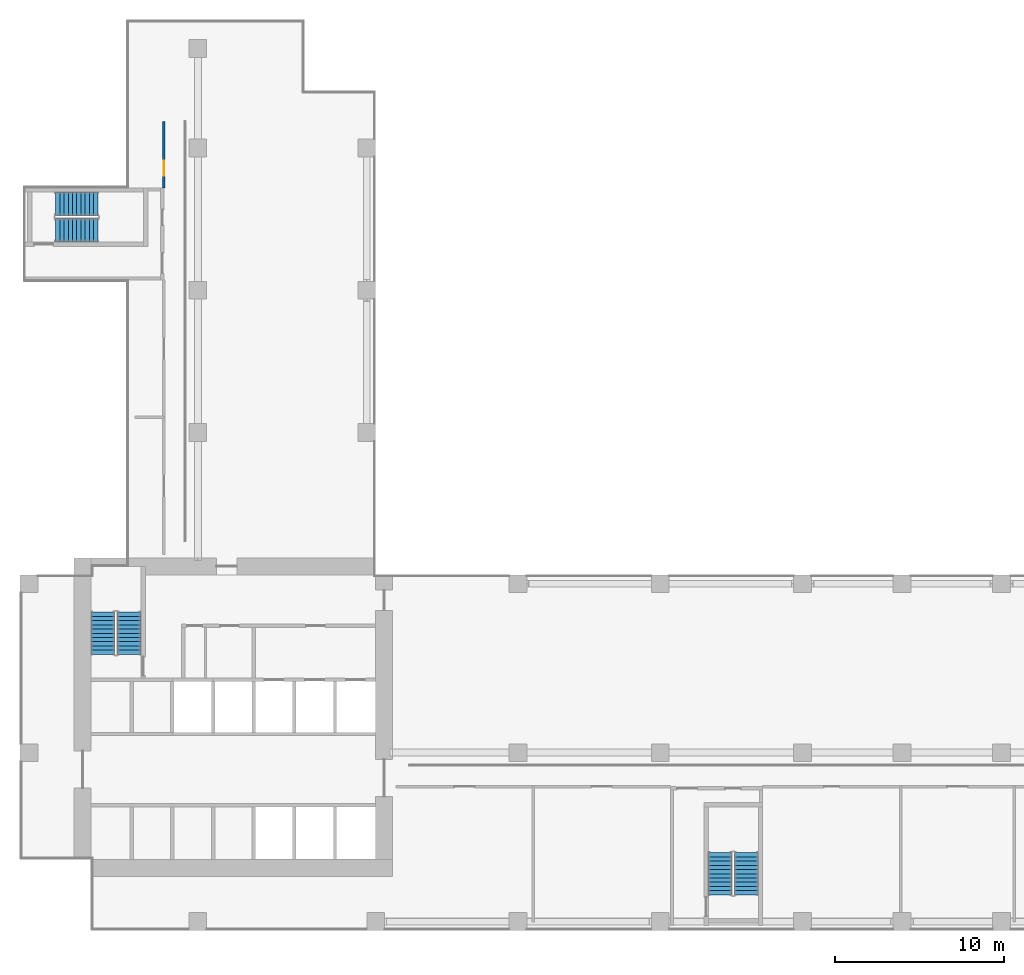
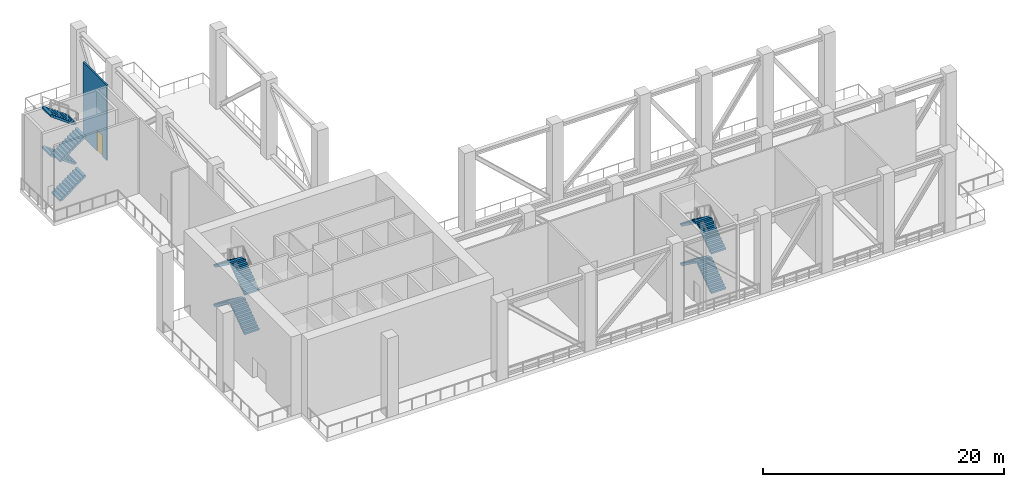
# One storey, part 4 of 10: 12 stair flights, 1 door, 1 wall, 1 opening, 3 elements without a shape of their own.
"""IFC4 building model written with IfcOpenShell, lengths in metres."""

import ifcopenshell
import ifcopenshell.guid

model = None  # the IFC model being written
_history = None  # IfcOwnerHistory: only IFC2X3 demands one
_inside = {}  # id of a spatial element -> (the spatial element, [elements in it])
_under = {}  # id of a project, library or spatial element -> (it, [spatial elements below it])
_declared = {}  # id of a project -> (the project, [libraries it declares])
_typed = {}  # id of a type object -> (the type object, [elements of that type])
_made_of = {}  # id of a material, layer set ... -> (it, [elements and type objects made of it])


def new_model(schema):
    """Start an empty IFC model of exactly this schema.

    Asked for "IFC4X3", IfcOpenShell would pick the latest addendum, in which some entities
    have other attributes; the version numbers below select the first issue.
    IFC2X3 requires an IfcOwnerHistory on every rooted entity: one is made here for all.
    """
    global model, _history
    if schema == "IFC4X3":
        model = ifcopenshell.file(schema_version=(4, 3, 0, 0))
    else:
        model = ifcopenshell.file(schema=schema)
    _inside.clear()
    _under.clear()
    _declared.clear()
    _typed.clear()
    _made_of.clear()
    _history = None
    if model.schema == "IFC2X3":
        org = make("IfcOrganization", Name="unknown")
        user = make(
            "IfcPersonAndOrganization",
            ThePerson=make("IfcPerson", FamilyName="unknown"),
            TheOrganization=org,
        )
        app = make(
            "IfcApplication",
            ApplicationDeveloper=org,
            Version="unknown",
            ApplicationFullName="unknown",
            ApplicationIdentifier="unknown",
        )
        _history = make(
            "IfcOwnerHistory",
            OwningUser=user,
            OwningApplication=app,
            ChangeAction="ADDED",
            CreationDate=0,
        )
    return model


def make(cls, **values):
    """One entity of the class cls with the attributes given. An attribute that is None is left unset."""
    return model.create_entity(
        cls, **{name: value for name, value in values.items() if value is not None}
    )


def rooted(cls, **values):
    """An entity with a GlobalId (a new one), such as an element, a storey or a relation."""
    return make(cls, GlobalId=ifcopenshell.guid.new(), OwnerHistory=_history, **values)


def si_unit(unit_type, name, prefix=None):
    """IfcSIUnit, for example si_unit("LENGTHUNIT", "METRE", prefix="MILLI")."""
    return make("IfcSIUnit", UnitType=unit_type, Prefix=prefix, Name=name)


def assignment(units):
    """IfcUnitAssignment: the units of a project."""
    return None if units is None else make("IfcUnitAssignment", Units=units)


def point(xyz):
    """IfcCartesianPoint."""
    return None if xyz is None else make("IfcCartesianPoint", Coordinates=xyz)


def direction(xyz):
    """IfcDirection."""
    return None if xyz is None else make("IfcDirection", DirectionRatios=xyz)


def frame(location, z_axis=None, x_axis=None):
    """IfcAxis2Placement3D, a coordinate frame: its origin and axes. An axis left out is left unset."""
    return make(
        "IfcAxis2Placement3D",
        Location=point(location),
        Axis=direction(z_axis),
        RefDirection=direction(x_axis),
    )


def frame_2d(location, x_axis=None):
    """IfcAxis2Placement2D, a coordinate frame in the plane: its origin and x axis."""
    return make(
        "IfcAxis2Placement2D", Location=point(location), RefDirection=direction(x_axis)
    )


def origin():
    """The frame at (0, 0, 0) with its axes left unset."""
    return frame((0.0, 0.0, 0.0))


def place(relative_to, where):
    """IfcLocalPlacement: puts the frame where relative to a parent placement (None: the world)."""
    return make(
        "IfcLocalPlacement", PlacementRelTo=relative_to, RelativePlacement=where
    )


def context(
    kind, dimensions, precision=None, world=None, true_north=None, identifier=None
):
    """IfcGeometricRepresentationContext, for example the 3D "Model" context."""
    return make(
        "IfcGeometricRepresentationContext",
        ContextIdentifier=identifier,
        ContextType=kind,
        CoordinateSpaceDimension=dimensions,
        Precision=precision,
        WorldCoordinateSystem=world,
        TrueNorth=true_north,
    )


def subcontext(parent, identifier, kind, view, scale=None):
    """IfcGeometricRepresentationSubContext, for example "Body" below "Model"."""
    return make(
        "IfcGeometricRepresentationSubContext",
        ContextIdentifier=identifier,
        ContextType=kind,
        ParentContext=parent,
        TargetScale=scale,
        TargetView=view,
    )


def project(units=None, contexts=None):
    """IfcProject with its units and contexts."""
    return rooted(
        "IfcProject",
        Name="project",
        RepresentationContexts=contexts,
        UnitsInContext=assignment(units),
    )


def spatial(cls, under=None, at=None, **own):
    """A site, building, storey or space (cls), placed at a placement, below another one or the project."""
    s = rooted(cls, ObjectPlacement=at, **own)
    if under is not None:
        _under.setdefault(under.id(), (under, []))[1].append(s)
    return s


def polyline(points):
    """IfcPolyline through the points."""
    return make("IfcPolyline", Points=[point(p) for p in points])


def profile(cls, at=None, kind="AREA", **sizes):
    """A parametric profile (cls). Its sizes go by their IFC names, for example OverallWidth=200.0."""
    return make(cls, ProfileType=kind, Position=at, **sizes)


def rectangle(**sizes):
    """IfcRectangleProfileDef."""
    return profile("IfcRectangleProfileDef", **sizes)


def outline(outer, holes=None, kind="AREA"):
    """IfcArbitraryClosedProfileDef: a profile drawn as a closed curve; with holes, ...WithVoids."""
    if holes is None:
        return make("IfcArbitraryClosedProfileDef", ProfileType=kind, OuterCurve=outer)
    return make(
        "IfcArbitraryProfileDefWithVoids",
        ProfileType=kind,
        OuterCurve=outer,
        InnerCurves=holes,
    )


def extrude(swept, where, along, depth):
    """IfcExtrudedAreaSolid: the profile swept, set in the frame where, extruded along a direction by depth."""
    return make(
        "IfcExtrudedAreaSolid",
        SweptArea=swept,
        Position=where,
        ExtrudedDirection=direction(along),
        Depth=depth,
    )


def shape(context_of_items, identifier, shape_type, items):
    """IfcShapeRepresentation: the items that make up one representation, for example the "Body"."""
    return make(
        "IfcShapeRepresentation",
        ContextOfItems=context_of_items,
        RepresentationIdentifier=identifier,
        RepresentationType=shape_type,
        Items=items,
    )


def source(mapping_origin, context_of_items, identifier, shape_type, items):
    """IfcRepresentationMap: a shape defined once, which mapped items show again and again."""
    return make(
        "IfcRepresentationMap",
        MappingOrigin=mapping_origin,
        MappedRepresentation=shape(context_of_items, identifier, shape_type, items),
    )


def transform(
    local_origin,
    x_axis=None,
    y_axis=None,
    z_axis=None,
    scale=None,
    scale2=None,
    scale3=None,
    uniform=True,
):
    """IfcCartesianTransformationOperator3D, or its non-uniform kind. x_axis, y_axis, z_axis: its Axis1, 2, 3."""
    if uniform:
        return make(
            "IfcCartesianTransformationOperator3D",
            Axis1=direction(x_axis),
            Axis2=direction(y_axis),
            LocalOrigin=point(local_origin),
            Scale=scale,
            Axis3=direction(z_axis),
        )
    return make(
        "IfcCartesianTransformationOperator3DnonUniform",
        Axis1=direction(x_axis),
        Axis2=direction(y_axis),
        LocalOrigin=point(local_origin),
        Scale=scale,
        Axis3=direction(z_axis),
        Scale2=scale2,
        Scale3=scale3,
    )


def mapped(mapping_source, mapping_target):
    """IfcMappedItem: shows the shape of a source again, moved by a transform."""
    return make(
        "IfcMappedItem", MappingSource=mapping_source, MappingTarget=mapping_target
    )


def material(Name=None, Category=None):
    """IfcMaterial."""
    return make("IfcMaterial", Name=Name, Category=Category)


def layer(
    of_material, thickness, ventilated=None, Name=None, Category=None, Priority=None
):
    """IfcMaterialLayer: one layer of a wall or slab, of a material (None: an air gap)."""
    return make(
        "IfcMaterialLayer",
        Material=of_material,
        LayerThickness=thickness,
        IsVentilated=ventilated,
        Name=Name,
        Category=Category,
        Priority=Priority,
    )


def layer_set(layers, Name=None):
    """IfcMaterialLayerSet."""
    return make("IfcMaterialLayerSet", MaterialLayers=layers, LayerSetName=Name)


def made_of(thing, what):
    """Note that an element or type object is made of a material, layer set ...; save() writes the relation."""
    if what is not None:
        _made_of.setdefault(what.id(), (what, []))[1].append(thing)
    return thing


def type_object(cls, material=None, **own):
    """A type object (cls), such as IfcWallType, which elements share."""
    return made_of(rooted(cls, **own), material)


def element(
    cls,
    number,
    at=None,
    inside=None,
    cuts=None,
    type_object=None,
    material=None,
    context=None,
    identifier="Body",
    shape_type=None,
    held_by="IfcProductDefinitionShape",
    body=None,
    shapes=None,
    **own,
):
    """One element of the class cls, such as IfcWall. Its Tag is "e" and its number.

    at: its placement. inside: the storey or other place that contains it. cuts: it is an
    opening in that element (IfcRelVoidsElement). A single representation is given by context,
    identifier, shape_type and body (its items); several are given by shapes. held_by: the class
    of the entity that holds the representations. save() writes the other relations.
    """
    e = rooted(cls, Tag="e%d" % number, ObjectPlacement=at, **own)
    if body is not None:
        shapes = [shape(context, identifier, shape_type, body)]
    if shapes is not None:
        e.Representation = make(held_by, Representations=shapes)
    if inside is not None:
        _inside.setdefault(inside.id(), (inside, []))[1].append(e)
    if cuts is not None:
        rooted(
            "IfcRelVoidsElement", RelatingBuildingElement=cuts, RelatedOpeningElement=e
        )
    if type_object is not None:
        _typed.setdefault(type_object.id(), (type_object, []))[1].append(e)
    return made_of(e, material)


def fill(opening, filler):
    """IfcRelFillsElement: the door or window that sits in an opening."""
    return rooted(
        "IfcRelFillsElement",
        RelatingOpeningElement=opening,
        RelatedBuildingElement=filler,
    )


def aggregate(whole, parts):
    """IfcRelAggregates: a whole, such as a stair, and the parts it consists of."""
    return rooted("IfcRelAggregates", RelatingObject=whole, RelatedObjects=parts)


def save(model, path):
    """Write the relations noted so far, then the file.

    IfcRelAggregates (storeys below a building ...), IfcRelContainedInSpatialStructure (elements
    in a storey), IfcRelDefinesByType, IfcRelAssociatesMaterial and IfcRelDeclares: one each for
    every whole, place, type object, material and project.
    """
    for whole, parts in _under.values():
        aggregate(whole, parts)
    for where, things in _inside.values():
        rooted(
            "IfcRelContainedInSpatialStructure",
            RelatedElements=things,
            RelatingStructure=where,
        )
    for kind, things in _typed.values():
        rooted("IfcRelDefinesByType", RelatedObjects=things, RelatingType=kind)
    for what, things in _made_of.values():
        rooted("IfcRelAssociatesMaterial", RelatedObjects=things, RelatingMaterial=what)
    for by, libraries in _declared.values():
        rooted("IfcRelDeclares", RelatingContext=by, RelatedDefinitions=libraries)
    model.write(path)


model = new_model("IFC4")

# Units and contexts
model_context = context("Model", 3, precision=1e-05, world=origin(), true_north=direction((0.0, 1.0)))
body_context = subcontext(model_context, "Body", "Model", "MODEL_VIEW")
ifc_project = project(units=[si_unit("LENGTHUNIT", "METRE"), si_unit("AREAUNIT", "SQUARE_METRE"), si_unit("VOLUMEUNIT", "CUBIC_METRE"), si_unit("PLANEANGLEUNIT", "RADIAN"), si_unit("MASSUNIT", "GRAM", prefix="KILO")], contexts=[model_context])

# Site, building, storey
site_placement = place(None, origin())
site = spatial("IfcSite", under=ifc_project, at=site_placement, CompositionType="ELEMENT")
building_placement = place(site_placement, origin())
building = spatial("IfcBuilding", under=site, at=building_placement, Name="Aurelian Terraces", CompositionType="ELEMENT")
storey_placement = place(building_placement, frame((0.0, 0.0, 162.3)))
storey = spatial("IfcBuildingStorey", under=building, at=storey_placement, Name="L36", CompositionType="ELEMENT", Elevation=162.3)

# Wall, opening, door
ifc_material_1 = material(Name="Gypsum board on steel studs", Category="steel")
ifc_layer = layer(ifc_material_1, 0.15)
ifc_layer_set = layer_set([ifc_layer], Name="Special partition 150")
wall_type = type_object("IfcWallType", Name="Special partition 150", PredefinedType="PARTITIONING", material=ifc_layer_set)
wall_placement = place(storey_placement, frame((8.5, 43.85, 0.0), z_axis=(0.0, 0.0, 1.0), x_axis=(0.0, 1.0, 0.0)))
wall = element("IfcWall", 1, at=wall_placement, inside=storey, type_object=wall_type, Name="L36 partition W05", PredefinedType="PARTITIONING", context=body_context, shape_type="SweptSolid", body=[
    extrude(rectangle(XDim=3.91, YDim=0.15, at=frame_2d((1.955, 0.0))), origin(), (0.0, 0.0, 1.0), 7.6),
])
shared_shape_1 = source(origin(), body_context, "Body", "SweptSolid", [
    extrude(rectangle(XDim=0.9, YDim=2.1, at=frame_2d((0.45, 1.05))), frame((0.0, 0.085, 0.0), z_axis=(0.0, -1.0, 0.0), x_axis=(1.0, 0.0, 0.0)), (0.0, 0.0, 1.0), 0.17),
])
opening_placement = place(wall_placement, frame((0.7, 0.0, 0.0)))
opening = element("IfcOpeningElement", 2, at=opening_placement, cuts=wall, Name="Opening 73908", PredefinedType="OPENING", context=body_context, shape_type="MappedRepresentation", body=[
    mapped(shared_shape_1, transform((0.0, 0.0, 0.0), scale=1.0)),
])
ifc_material_2 = material(Name="Timber door leaf", Category="wood")
door_type = type_object("IfcDoorType", Name="Special door 900x2100 right", OperationType="SINGLE_SWING_RIGHT", PredefinedType="DOOR", material=ifc_material_2)
shared_shape_2 = source(origin(), body_context, "Body", "SweptSolid", [
    extrude(rectangle(XDim=0.9, YDim=2.1, at=frame_2d((0.45, 1.05))), frame((0.0, 0.025, 0.0), z_axis=(0.0, -1.0, 0.0), x_axis=(1.0, 0.0, 0.0)), (0.0, 0.0, 1.0), 0.05),
])
door_placement = place(opening_placement, origin())
door = element("IfcDoor", 3, at=door_placement, inside=storey, type_object=door_type, Name="Door 73908", OperationType="SINGLE_SWING_RIGHT", OverallHeight=2.1, OverallWidth=0.9, PredefinedType="DOOR", context=body_context, shape_type="MappedRepresentation", body=[
    mapped(shared_shape_2, transform((0.0, 0.0, 0.0), scale=1.0)),
])
fill(opening, door)

# Stair, stair flights
ifc_material_3 = material(Name="Concrete fc' 40 MPa", Category="concrete")
stair_type = type_object("IfcStairType", Name="Stair 1400", PredefinedType="HALF_TURN_STAIR", material=ifc_material_3)
stair_1_placement = place(storey_placement, origin())
stair_1 = element("IfcStair", 4, at=stair_1_placement, inside=storey, type_object=stair_type, Name="L36 S1", PredefinedType="HALF_TURN_STAIR")
stair_flight_type = type_object("IfcStairFlightType", Name="Stair flight 1400", PredefinedType="STRAIGHT", material=ifc_material_3)
stair_flight_1_placement = place(storey_placement, frame((6.45, 16.3, 2e-08), z_axis=(0.0, 0.0, 1.0), x_axis=(0.0, 1.0, 0.0)))
stair_flight_1 = element("IfcStairFlight", 5, at=stair_flight_1_placement, type_object=stair_flight_type, Name="S1 flight 1", NumberOfRisers=11, NumberOfTreads=10, PredefinedType="STRAIGHT", RiserHeight=0.181818182, TreadLength=0.25, context=body_context, shape_type="SweptSolid", body=[
    extrude(outline(polyline([(0.0, 0.0), (0.0, 0.1818), (0.25, 0.1818), (0.25, 0.3636), (0.5, 0.3636), (0.5, 0.5455), (0.75, 0.5455), (0.75, 0.7273), (1.0, 0.7273), (1.0, 0.9091), (1.25, 0.9091), (1.25, 1.0909), (1.5, 1.0909), (1.5, 1.2727), (1.75, 1.2727), (1.75, 1.4545), (2.0, 1.4545), (2.0, 1.6364), (2.25, 1.6364), (2.25, 1.8182), (2.5, 1.8182), (2.5, 2.0), (2.5, 1.6327), (0.255, 0.0), (0.0, 0.0)])), frame((0.0, 0.7, 0.0), z_axis=(0.0, -1.0, 0.0), x_axis=(1.0, 0.0, 0.0)), (0.0, 0.0, 1.0), 1.4),
])
shared_shape_3 = source(origin(), body_context, "Body", "SweptSolid", [
    extrude(outline(polyline([(0.0, 0.0), (0.0, 0.1818), (0.25, 0.1818), (0.25, 0.3636), (0.5, 0.3636), (0.5, 0.5455), (0.75, 0.5455), (0.75, 0.7273), (1.0, 0.7273), (1.0, 0.9091), (1.25, 0.9091), (1.25, 1.0909), (1.5, 1.0909), (1.5, 1.2727), (1.75, 1.2727), (1.75, 1.4545), (2.0, 1.4545), (2.0, 1.6364), (2.25, 1.6364), (2.25, 1.8182), (2.5, 1.8182), (2.5, 2.0), (2.5, 1.6327), (0.255, 0.0), (0.0, 0.0)])), frame((0.0, 0.7, 0.0), z_axis=(0.0, -1.0, 0.0), x_axis=(1.0, 0.0, 0.0)), (0.0, 0.0, 1.0), 1.4),
])
stair_flight_2_placement = place(storey_placement, frame((4.9, 18.8, 2.00000002), z_axis=(0.0, 0.0, 1.0), x_axis=(0.0, -1.0, 0.0)))
stair_flight_2 = element("IfcStairFlight", 6, at=stair_flight_2_placement, type_object=stair_flight_type, Name="S1 flight 2", NumberOfRisers=11, NumberOfTreads=10, PredefinedType="STRAIGHT", RiserHeight=0.181818182, TreadLength=0.25, context=body_context, shape_type="MappedRepresentation", body=[
    mapped(shared_shape_3, transform((0.0, 0.0, 0.0), scale=1.0)),
])
stair_flight_3_placement = place(storey_placement, frame((6.45, 16.3, 4.00000002), z_axis=(0.0, 0.0, 1.0), x_axis=(0.0, 1.0, 0.0)))
stair_flight_3 = element("IfcStairFlight", 7, at=stair_flight_3_placement, type_object=stair_flight_type, Name="S1 flight 3", NumberOfRisers=11, NumberOfTreads=10, PredefinedType="STRAIGHT", RiserHeight=0.181818182, TreadLength=0.25, context=body_context, shape_type="MappedRepresentation", body=[
    mapped(shared_shape_3, transform((0.0, 0.0, 0.0), scale=1.0)),
])
stair_flight_4_placement = place(storey_placement, frame((4.9, 18.8, 6.00000002), z_axis=(0.0, 0.0, 1.0), x_axis=(0.0, -1.0, 0.0)))
stair_flight_4 = element("IfcStairFlight", 8, at=stair_flight_4_placement, type_object=stair_flight_type, Name="S1 flight 4", NumberOfRisers=11, NumberOfTreads=10, PredefinedType="STRAIGHT", RiserHeight=0.181818182, TreadLength=0.25, context=body_context, shape_type="MappedRepresentation", body=[
    mapped(shared_shape_3, transform((0.0, 0.0, 0.0), scale=1.0)),
])
aggregate(stair_1, [stair_flight_1, stair_flight_2, stair_flight_3, stair_flight_4])

stair_2_placement = place(storey_placement, origin())
stair_2 = element("IfcStair", 9, at=stair_2_placement, inside=storey, type_object=stair_type, Name="L36 S2", PredefinedType="HALF_TURN_STAIR")
stair_flight_5_placement = place(storey_placement, frame((42.9, 2.1, 2e-08), z_axis=(0.0, 0.0, 1.0), x_axis=(0.0, 1.0, 0.0)))
stair_flight_5 = element("IfcStairFlight", 10, at=stair_flight_5_placement, type_object=stair_flight_type, Name="S2 flight 1", NumberOfRisers=11, NumberOfTreads=10, PredefinedType="STRAIGHT", RiserHeight=0.181818182, TreadLength=0.25, context=body_context, shape_type="MappedRepresentation", body=[
    mapped(shared_shape_3, transform((0.0, 0.0, 0.0), scale=1.0)),
])
stair_flight_6_placement = place(storey_placement, frame((41.35, 4.6, 2.00000002), z_axis=(0.0, 0.0, 1.0), x_axis=(0.0, -1.0, 0.0)))
stair_flight_6 = element("IfcStairFlight", 11, at=stair_flight_6_placement, type_object=stair_flight_type, Name="S2 flight 2", NumberOfRisers=11, NumberOfTreads=10, PredefinedType="STRAIGHT", RiserHeight=0.181818182, TreadLength=0.25, context=body_context, shape_type="MappedRepresentation", body=[
    mapped(shared_shape_3, transform((0.0, 0.0, 0.0), scale=1.0)),
])
stair_flight_7_placement = place(storey_placement, frame((42.9, 2.1, 4.00000002), z_axis=(0.0, 0.0, 1.0), x_axis=(0.0, 1.0, 0.0)))
stair_flight_7 = element("IfcStairFlight", 12, at=stair_flight_7_placement, type_object=stair_flight_type, Name="S2 flight 3", NumberOfRisers=11, NumberOfTreads=10, PredefinedType="STRAIGHT", RiserHeight=0.181818182, TreadLength=0.25, context=body_context, shape_type="MappedRepresentation", body=[
    mapped(shared_shape_3, transform((0.0, 0.0, 0.0), scale=1.0)),
])
stair_flight_8_placement = place(storey_placement, frame((41.35, 4.6, 6.00000002), z_axis=(0.0, 0.0, 1.0), x_axis=(0.0, -1.0, 0.0)))
stair_flight_8 = element("IfcStairFlight", 13, at=stair_flight_8_placement, type_object=stair_flight_type, Name="S2 flight 4", NumberOfRisers=11, NumberOfTreads=10, PredefinedType="STRAIGHT", RiserHeight=0.181818182, TreadLength=0.25, context=body_context, shape_type="MappedRepresentation", body=[
    mapped(shared_shape_3, transform((0.0, 0.0, 0.0), scale=1.0)),
])
aggregate(stair_2, [stair_flight_5, stair_flight_6, stair_flight_7, stair_flight_8])

stair_3_placement = place(storey_placement, origin())
stair_3 = element("IfcStair", 14, at=stair_3_placement, inside=storey, type_object=stair_type, Name="L36 S3", PredefinedType="HALF_TURN_STAIR")
stair_flight_9_placement = place(storey_placement, frame((2.1, 41.35, 2e-08), z_axis=(0.0, 0.0, 1.0), x_axis=(1.0, 0.0, 0.0)))
stair_flight_9 = element("IfcStairFlight", 15, at=stair_flight_9_placement, type_object=stair_flight_type, Name="S3 flight 1", NumberOfRisers=11, NumberOfTreads=10, PredefinedType="STRAIGHT", RiserHeight=0.181818182, TreadLength=0.25, context=body_context, shape_type="MappedRepresentation", body=[
    mapped(shared_shape_3, transform((0.0, 0.0, 0.0), scale=1.0)),
])
stair_flight_10_placement = place(storey_placement, frame((4.6, 42.9, 2.00000002), z_axis=(0.0, 0.0, 1.0), x_axis=(-1.0, 0.0, 0.0)))
stair_flight_10 = element("IfcStairFlight", 16, at=stair_flight_10_placement, type_object=stair_flight_type, Name="S3 flight 2", NumberOfRisers=11, NumberOfTreads=10, PredefinedType="STRAIGHT", RiserHeight=0.181818182, TreadLength=0.25, context=body_context, shape_type="MappedRepresentation", body=[
    mapped(shared_shape_3, transform((0.0, 0.0, 0.0), scale=1.0)),
])
stair_flight_11_placement = place(storey_placement, frame((2.1, 41.35, 4.00000002), z_axis=(0.0, 0.0, 1.0), x_axis=(1.0, 0.0, 0.0)))
stair_flight_11 = element("IfcStairFlight", 17, at=stair_flight_11_placement, type_object=stair_flight_type, Name="S3 flight 3", NumberOfRisers=11, NumberOfTreads=10, PredefinedType="STRAIGHT", RiserHeight=0.181818182, TreadLength=0.25, context=body_context, shape_type="MappedRepresentation", body=[
    mapped(shared_shape_3, transform((0.0, 0.0, 0.0), scale=1.0)),
])
stair_flight_12_placement = place(storey_placement, frame((4.6, 42.9, 6.00000002), z_axis=(0.0, 0.0, 1.0), x_axis=(-1.0, 0.0, 0.0)))
stair_flight_12 = element("IfcStairFlight", 18, at=stair_flight_12_placement, type_object=stair_flight_type, Name="S3 flight 4", NumberOfRisers=11, NumberOfTreads=10, PredefinedType="STRAIGHT", RiserHeight=0.181818182, TreadLength=0.25, context=body_context, shape_type="MappedRepresentation", body=[
    mapped(shared_shape_3, transform((0.0, 0.0, 0.0), scale=1.0)),
])
aggregate(stair_3, [stair_flight_9, stair_flight_10, stair_flight_11, stair_flight_12])

save(model, "model.ifc")
